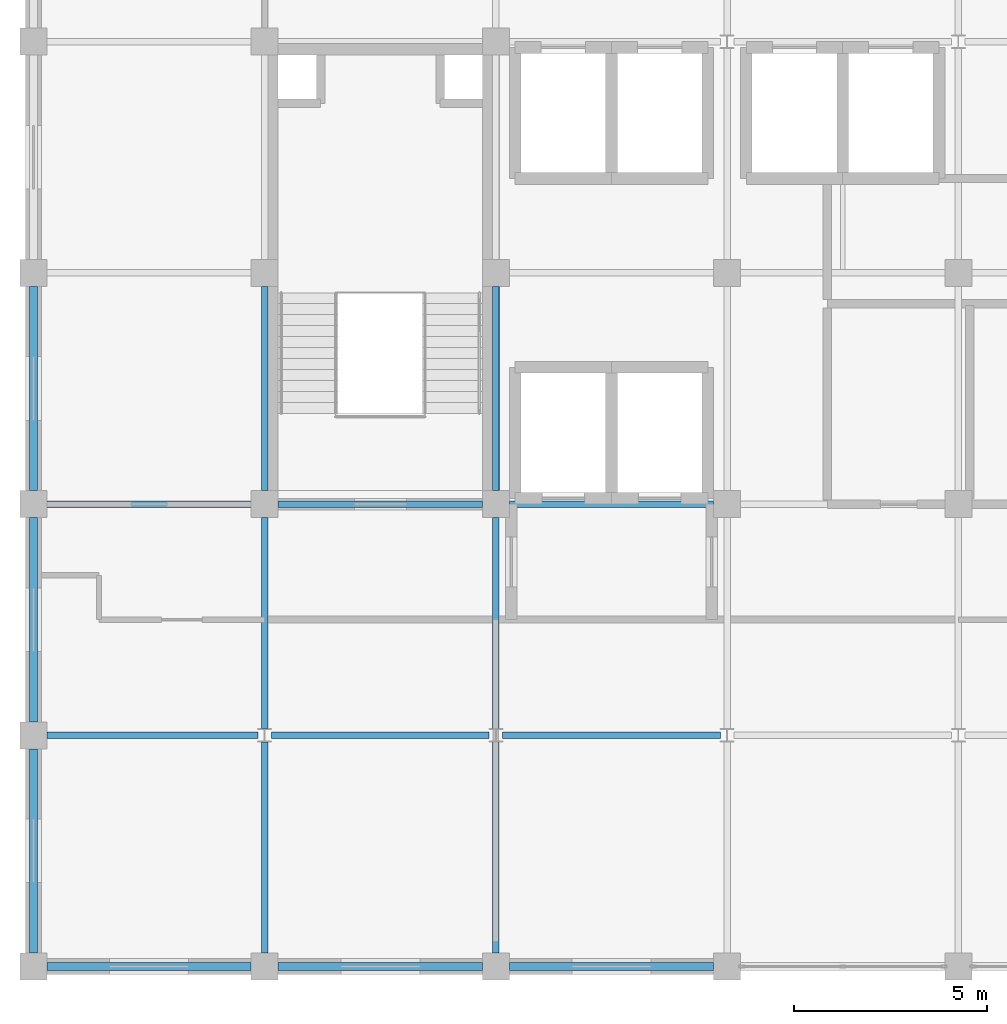
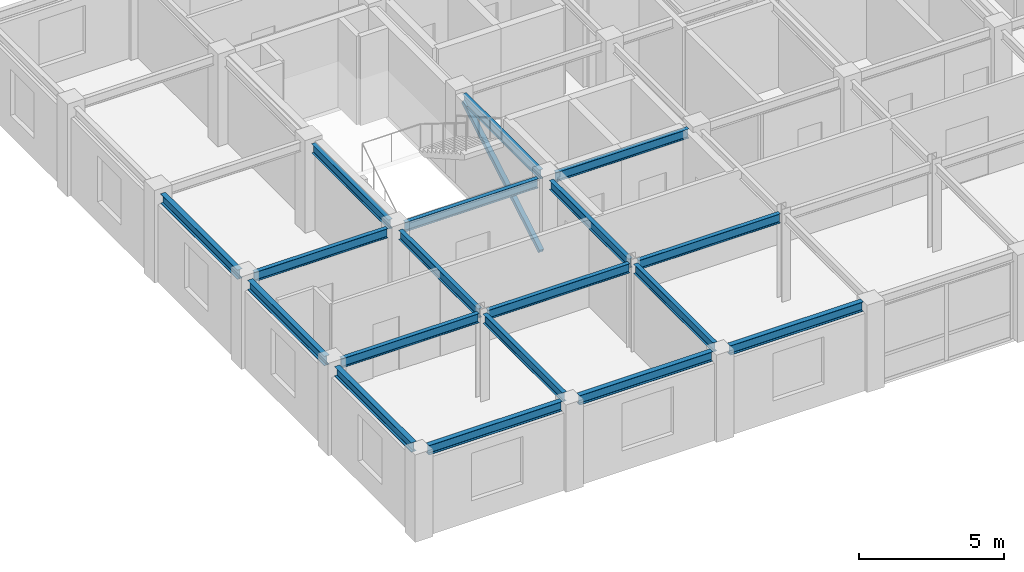
# One storey, part 4 of 13: 18 beams, 1 member.
"""IFC4 building model written with IfcOpenShell, lengths in metres."""

from ifc_helpers import new_model, si_unit, direction, frame, origin, origin_2d, place, context, subcontext, project, spatial, hollow_rectangle, i_section, extrude, material, material_profile, profile_set, type_object, element, save


model = new_model("IFC4")

# Units and contexts
model_context = context("Model", 3, precision=1e-05, world=origin(), true_north=direction((0.0, 1.0)))
body_context = subcontext(model_context, "Body", "Model", "MODEL_VIEW")
ifc_project = project(units=[si_unit("LENGTHUNIT", "METRE"), si_unit("AREAUNIT", "SQUARE_METRE"), si_unit("VOLUMEUNIT", "CUBIC_METRE"), si_unit("PLANEANGLEUNIT", "RADIAN"), si_unit("MASSUNIT", "GRAM", prefix="KILO")], contexts=[model_context])

# Site, building, storey
site_placement = place(None, origin())
site = spatial("IfcSite", under=ifc_project, at=site_placement, CompositionType="ELEMENT")
building_placement = place(site_placement, origin())
building = spatial("IfcBuilding", under=site, at=building_placement, Name="Zlatovratsky Civic Hall", CompositionType="ELEMENT")
storey_placement = place(building_placement, frame((0.0, 0.0, 48.300048828125)))
storey = spatial("IfcBuildingStorey", under=building, at=storey_placement, Name="L12", CompositionType="ELEMENT", Elevation=48.300048828125)

# Beams
ifc_material = material(Name="Steel S355", Category="steel")
ifc_material_profile_1 = material_profile(ifc_material, i_section(OverallWidth=0.199951171875, OverallDepth=0.39990234375, WebThickness=0.008056640625, FlangeThickness=0.012939453125, FilletRadius=0.014892578125, at=origin_2d()), Name="40B2")
ifc_profile_set_1 = profile_set([ifc_material_profile_1], Name="Steel S355")
beam_type_1 = type_object("IfcBeamType", Name="Beam_Spandrel_40B2", PredefinedType="SPANDREL", material=ifc_profile_set_1)
for number, where, z_axis, x_axis, name in (
    (1, (60.35009765625, 72.0, 3.47998046875), (1.0, 0.0, 0.0), (0.0, 1.0, 0.0), "BM-4796"),
    (2, (66.35009765625, 72.0, 3.47998046875), (1.0, 0.0, 0.0), (0.0, 1.0, 0.0), "BM-4797"),
    (3, (72.35009765625, 72.0, 3.47998046875), (1.0, 0.0, 0.0), (0.0, 1.0, 0.0), "BM-4798"),
    (4, (60.0, 72.35009765625, 3.47998046875), (0.0, 1.0, 0.0), (-1.0, 0.0, 0.0), "BM-4842"),
    (5, (60.0, 78.35009765625, 3.47998046875), (0.0, 1.0, 0.0), (-1.0, 0.0, 0.0), "BM-4843"),
    (6, (60.0, 84.35009765625, 3.47998046875), (0.0, 1.0, 0.0), (-1.0, 0.0, 0.0), "BM-4844"),
):
    element("IfcBeam", number, at=place(storey_placement, frame(where, z_axis=z_axis, x_axis=x_axis)), inside=storey, type_object=beam_type_1, Name=name, PredefinedType="SPANDREL", context=body_context, shape_type="SweptSolid", body=[
        extrude(i_section(OverallWidth=0.199951171875, OverallDepth=0.39990234375, WebThickness=0.008056640625, FlangeThickness=0.012939453125, FilletRadius=0.014892578125, at=origin_2d()), origin(), (0.0, 0.0, 1.0), 5.2998046875),
    ])
ifc_material_profile_2 = material_profile(ifc_material, i_section(OverallWidth=0.1650390625, OverallDepth=0.39208984375, WebThickness=0.006591796875, FlangeThickness=0.009521484375, FilletRadius=0.014892578125, at=origin_2d()), Name="40B1")
ifc_profile_set_2 = profile_set([ifc_material_profile_2], Name="Steel S355")
beam_type_2 = type_object("IfcBeamType", Name="Beam_Tie_40B1", PredefinedType="BEAM", material=ifc_profile_set_2)
beam_1_placement = place(storey_placement, frame((60.35009765625, 78.0, 3.48388671875), z_axis=(1.0, 0.0, 0.0), x_axis=(0.0, 1.0, 0.0)))
element("IfcBeam", 7, at=beam_1_placement, inside=storey, type_object=beam_type_2, Name="BM-4804", PredefinedType="BEAM", context=body_context, shape_type="SweptSolid", body=[
    extrude(i_section(OverallWidth=0.1650390625, OverallDepth=0.39208984375, WebThickness=0.006591796875, FlangeThickness=0.009521484375, FilletRadius=0.014892578125, at=origin_2d()), origin(), (0.0, 0.0, 1.0), 5.474853515625),
])
for number, where, z_axis, x_axis, name in (
    (8, (66.175048828125, 78.0, 3.48388671875), (1.0, 0.0, 0.0), (0.0, 1.0, 0.0), "BM-4805"),
    (9, (72.175048828125, 78.0, 3.48388671875), (1.0, 0.0, 0.0), (0.0, 1.0, 0.0), "BM-4806"),
):
    element("IfcBeam", number, at=place(storey_placement, frame(where, z_axis=z_axis, x_axis=x_axis)), inside=storey, type_object=beam_type_2, Name=name, PredefinedType="BEAM", context=body_context, shape_type="SweptSolid", body=[
        extrude(i_section(OverallWidth=0.1650390625, OverallDepth=0.39208984375, WebThickness=0.006591796875, FlangeThickness=0.009521484375, FilletRadius=0.014892578125, at=origin_2d()), origin(), (0.0, 0.0, 1.0), 5.64990234375),
    ])
for number, where, z_axis, x_axis, name in (
    (10, (60.35009765625, 84.0, 3.48388671875), (1.0, 0.0, 0.0), (0.0, 1.0, 0.0), "BM-4812"),
    (11, (66.35009765625, 84.0, 3.48388671875), (1.0, 0.0, 0.0), (0.0, 1.0, 0.0), "BM-4813"),
    (12, (72.35009765625, 84.0, 3.48388671875), (1.0, 0.0, 0.0), (0.0, 1.0, 0.0), "BM-4814"),
):
    element("IfcBeam", number, at=place(storey_placement, frame(where, z_axis=z_axis, x_axis=x_axis)), inside=storey, type_object=beam_type_2, Name=name, PredefinedType="BEAM", context=body_context, shape_type="SweptSolid", body=[
        extrude(i_section(OverallWidth=0.1650390625, OverallDepth=0.39208984375, WebThickness=0.006591796875, FlangeThickness=0.009521484375, FilletRadius=0.014892578125, at=origin_2d()), origin(), (0.0, 0.0, 1.0), 5.2998046875),
    ])
for number, where, z_axis, x_axis, name in (
    (13, (66.0, 72.35009765625, 3.48388671875), (0.0, 1.0, 0.0), (-1.0, 0.0, 0.0), "BM-4847"),
    (14, (66.0, 78.17138671875, 3.48388671875), (0.0, 1.0, 0.0), (-1.0, 0.0, 0.0), "BM-4848"),
):
    element("IfcBeam", number, at=place(storey_placement, frame(where, z_axis=z_axis, x_axis=x_axis)), inside=storey, type_object=beam_type_2, Name=name, PredefinedType="BEAM", context=body_context, shape_type="SweptSolid", body=[
        extrude(i_section(OverallWidth=0.1650390625, OverallDepth=0.39208984375, WebThickness=0.006591796875, FlangeThickness=0.009521484375, FilletRadius=0.014892578125, at=origin_2d()), origin(), (0.0, 0.0, 1.0), 5.478515625),
    ])
beam_2_placement = place(storey_placement, frame((66.0, 84.35009765625, 3.48388671875), z_axis=(0.0, 1.0, 0.0), x_axis=(-1.0, 0.0, 0.0)))
element("IfcBeam", 15, at=beam_2_placement, inside=storey, type_object=beam_type_2, Name="BM-4849", PredefinedType="BEAM", context=body_context, shape_type="SweptSolid", body=[
    extrude(i_section(OverallWidth=0.1650390625, OverallDepth=0.39208984375, WebThickness=0.006591796875, FlangeThickness=0.009521484375, FilletRadius=0.014892578125, at=origin_2d()), origin(), (0.0, 0.0, 1.0), 5.2998046875),
])
for number, where, z_axis, x_axis, name in (
    (16, (72.0, 72.35009765625, 3.48388671875), (0.0, 1.0, 0.0), (-1.0, 0.0, 0.0), "BM-4852"),
    (17, (72.0, 78.17138671875, 3.48388671875), (0.0, 1.0, 0.0), (-1.0, 0.0, 0.0), "BM-4853"),
):
    element("IfcBeam", number, at=place(storey_placement, frame(where, z_axis=z_axis, x_axis=x_axis)), inside=storey, type_object=beam_type_2, Name=name, PredefinedType="BEAM", context=body_context, shape_type="SweptSolid", body=[
        extrude(i_section(OverallWidth=0.1650390625, OverallDepth=0.39208984375, WebThickness=0.006591796875, FlangeThickness=0.009521484375, FilletRadius=0.014892578125, at=origin_2d()), origin(), (0.0, 0.0, 1.0), 5.478515625),
    ])
beam_3_placement = place(storey_placement, frame((72.0, 84.35009765625, 3.48388671875), z_axis=(0.0, 1.0, 0.0), x_axis=(-1.0, 0.0, 0.0)))
element("IfcBeam", 18, at=beam_3_placement, inside=storey, type_object=beam_type_2, Name="BM-4854", PredefinedType="BEAM", context=body_context, shape_type="SweptSolid", body=[
    extrude(i_section(OverallWidth=0.1650390625, OverallDepth=0.39208984375, WebThickness=0.006591796875, FlangeThickness=0.009521484375, FilletRadius=0.014892578125, at=origin_2d()), origin(), (0.0, 0.0, 1.0), 5.2998046875),
])

# Member
ifc_material_profile_3 = material_profile(ifc_material, hollow_rectangle(XDim=0.179931640625, YDim=0.179931640625, WallThickness=0.008056640625, at=origin_2d()), Name="SHS 180x180x8")
ifc_profile_set_3 = profile_set([ifc_material_profile_3], Name="Steel S355")
member_type = type_object("IfcMemberType", Name="Brace_TowerMid_SHS180", PredefinedType="BRACE", material=ifc_profile_set_3)
member_placement = place(storey_placement, frame((72.0, 84.35009765625, 0.25), z_axis=(0.0, 0.863189891905, 0.504879401949), x_axis=(-1.0, 0.0, 0.0)))
element("IfcMember", 19, at=member_placement, inside=storey, type_object=member_type, Name="MB-0152", PredefinedType="BRACE", context=body_context, shape_type="SweptSolid", body=[
    extrude(hollow_rectangle(XDim=0.179931640625, YDim=0.179931640625, WallThickness=0.008056640625, at=origin_2d()), origin(), (0.0, 0.0, 1.0), 6.139892578125),
])

save(model, "model.ifc")
